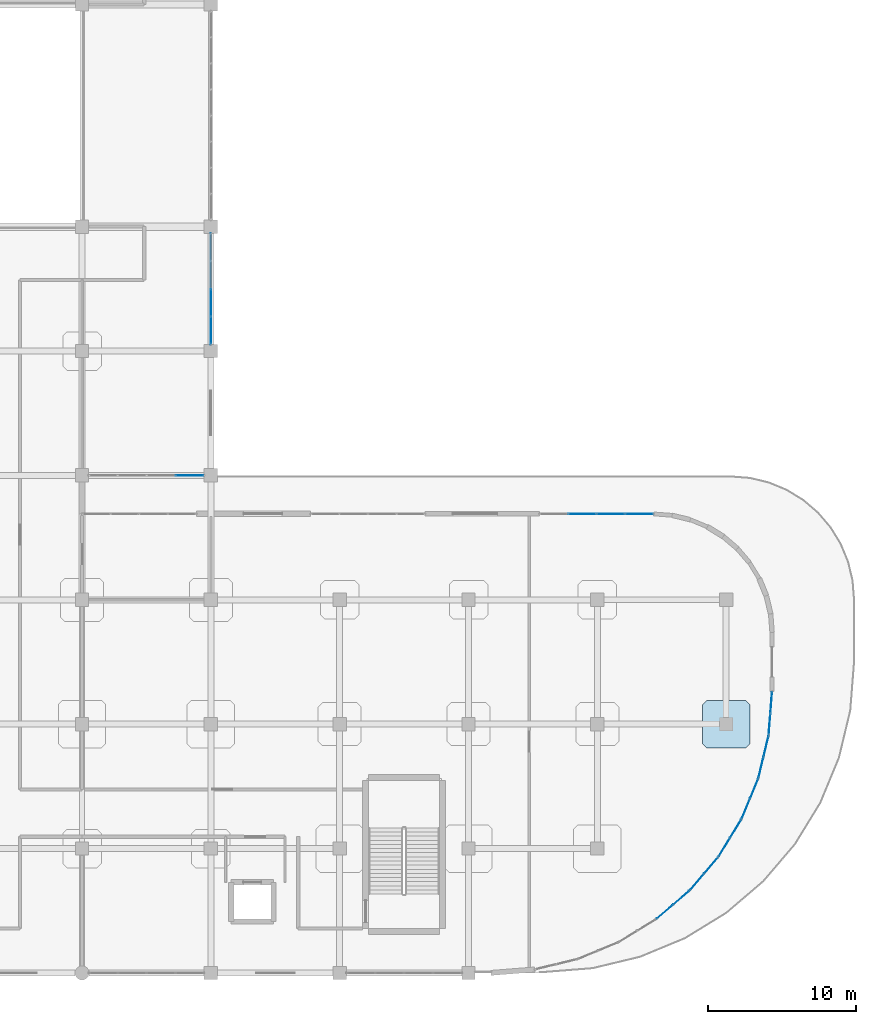
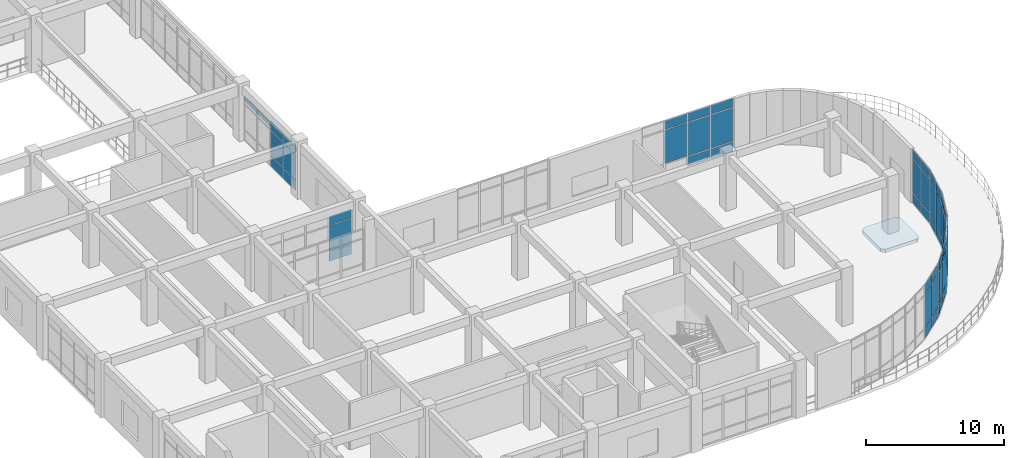
# One storey, part 95 of 120: 54 plates, 1 slab, 9 elements without a shape of their own.
"""IFC4 building model written with IfcOpenShell, lengths in metres."""

from ifc_helpers import new_model, si_unit, derived_unit, direction, frame, origin, origin_2d, place, context, subcontext, project, spatial, polyline, rectangle, outline, extrude, material, layer, layer_set, type_object, element, aggregate, save


model = new_model("IFC4")

# Units and contexts
model_context = context("Model", 3, precision=1e-05, world=origin(), true_north=direction((0.0, 1.0)))
body_context = subcontext(model_context, "Body", "Model", "MODEL_VIEW")
ifc_project = project(units=[si_unit("LENGTHUNIT", "METRE"), si_unit("AREAUNIT", "SQUARE_METRE"), si_unit("VOLUMEUNIT", "CUBIC_METRE"), si_unit("PLANEANGLEUNIT", "RADIAN"), si_unit("MASSUNIT", "GRAM", prefix="KILO"), derived_unit("THERMALTRANSMITTANCEUNIT", [(si_unit("MASSUNIT", "GRAM", prefix="KILO"), 1), (si_unit("TIMEUNIT", "SECOND"), -3), (si_unit("THERMODYNAMICTEMPERATUREUNIT", "KELVIN"), -1)])], contexts=[model_context])

# Site, building, storey
site_placement = place(None, origin())
site = spatial("IfcSite", under=ifc_project, at=site_placement, CompositionType="ELEMENT")
building_placement = place(site_placement, origin())
building = spatial("IfcBuilding", under=site, at=building_placement, Name="Qinzheling Arcade Emporium", CompositionType="ELEMENT")
storey_placement = place(building_placement, frame((0.0, 0.0, 11.39990234375)))
storey = spatial("IfcBuildingStorey", under=building, at=storey_placement, Name="L03", CompositionType="ELEMENT", Elevation=11.39990234375)

# Slab
ifc_material_1 = material(Name="Concrete C40", Category="concrete")
ifc_layer_1 = layer(ifc_material_1, 0.300048828125, Name="Concrete C40", Category="concrete")
ifc_layer_set_1 = layer_set([ifc_layer_1], Name="Concrete C40")
slab_type = type_object("IfcSlabType", Name="Column Head Drop Panel 3200x3200x300 C40", PredefinedType="USERDEFINED", material=ifc_layer_set_1)
slab_placement = place(storey_placement, frame((0.0, 0.0, -0.594970703125)))
element("IfcSlab", 1, at=slab_placement, inside=storey, type_object=slab_type, Name="Column Drop Panel DP-L03-20-C", ObjectType="DROP_PANEL", PredefinedType="USERDEFINED", context=body_context, shape_type="SweptSolid", body=[
    extrude(outline(polyline([(163.97998046875, 15.199951171875), (166.6201171875, 15.199951171875), (166.89990234375, 15.47998046875), (166.89990234375, 18.1201171875), (166.6201171875, 18.39990234375), (163.97998046875, 18.39990234375), (163.699951171875, 18.1201171875), (163.699951171875, 15.47998046875), (163.97998046875, 15.199951171875)])), origin(), (0.0, 0.0, 1.0), 0.300048828125),
])

# Curtain wall, plates
ifc_material_2 = material(Name="Anodised aluminium and solar-control double glazing", Category="aluminium")
ifc_layer_2 = layer(ifc_material_2, 0.159912109375, Name="Anodised aluminium and solar-control double glazing", Category="aluminium")
ifc_layer_set_2 = layer_set([ifc_layer_2], Name="Anodised aluminium and solar-control double glazing")
curtain_wall_type_1 = type_object("IfcCurtainWallType", Name="Food Hall Loggia Curtain Wall", PredefinedType="NOTDEFINED", material=ifc_layer_set_2)
curtain_wall_1_placement = place(storey_placement, origin())
curtain_wall_1 = element("IfcCurtainWall", 2, at=curtain_wall_1_placement, inside=storey, type_object=curtain_wall_type_1, Name="Curtain Wall CW-L03-207", PredefinedType="NOTDEFINED")
ifc_material_3 = material(Name="Laminated solar-control double glazing", Category="glass")
ifc_layer_3 = layer(ifc_material_3, 0.02197265625, Name="Laminated solar-control double glazing", Category="glass")
ifc_layer_set_3 = layer_set([ifc_layer_3], Name="Laminated solar-control double glazing")
plate_type_1 = type_object("IfcPlateType", Name="Low-E Double Glazed Curtain Panel 22mm", PredefinedType="CURTAIN_PANEL", material=ifc_layer_set_3)
plate_1_placement = place(storey_placement, frame((155.576171875, 31.0, 0.97998046875), z_axis=(0.0, 0.0, 1.0), x_axis=(1.0, 0.0, 0.0)))
plate_1 = element("IfcPlate", 3, at=plate_1_placement, type_object=plate_type_1, Name="CW04 panel 2.2", PredefinedType="CURTAIN_PANEL", context=body_context, shape_type="SweptSolid", body=[
    extrude(rectangle(XDim=1.869384765625, YDim=0.02197265625, at=origin_2d()), origin(), (0.0, 0.0, 1.0), 2.929931640625),
])
plate_2_placement = place(storey_placement, frame((155.576171875, 31.0, 3.97021484375), z_axis=(0.0, 0.0, 1.0), x_axis=(1.0, 0.0, 0.0)))
plate_2 = element("IfcPlate", 4, at=plate_2_placement, type_object=plate_type_1, Name="CW04 panel 2.3", PredefinedType="CURTAIN_PANEL", context=body_context, shape_type="SweptSolid", body=[
    extrude(rectangle(XDim=1.869384765625, YDim=0.02197265625, at=origin_2d()), origin(), (0.0, 0.0, 1.0), 0.760009765625),
])
plate_3_placement = place(storey_placement, frame((157.505859375, 31.0, 0.06005859375), z_axis=(0.0, 0.0, 1.0), x_axis=(1.0, 0.0, 0.0)))
plate_3 = element("IfcPlate", 5, at=plate_3_placement, type_object=plate_type_1, Name="CW04 panel 3.1", PredefinedType="CURTAIN_PANEL", context=body_context, shape_type="SweptSolid", body=[
    extrude(rectangle(XDim=1.869384765625, YDim=0.02197265625, at=origin_2d()), origin(), (0.0, 0.0, 1.0), 0.860107421875),
])
plate_4_placement = place(storey_placement, frame((157.505859375, 31.0, 0.97998046875), z_axis=(0.0, 0.0, 1.0), x_axis=(1.0, 0.0, 0.0)))
plate_4 = element("IfcPlate", 6, at=plate_4_placement, type_object=plate_type_1, Name="CW04 panel 3.2", PredefinedType="CURTAIN_PANEL", context=body_context, shape_type="SweptSolid", body=[
    extrude(rectangle(XDim=1.869384765625, YDim=0.02197265625, at=origin_2d()), origin(), (0.0, 0.0, 1.0), 2.929931640625),
])
plate_5_placement = place(storey_placement, frame((157.505859375, 31.0, 3.97021484375), z_axis=(0.0, 0.0, 1.0), x_axis=(1.0, 0.0, 0.0)))
plate_5 = element("IfcPlate", 7, at=plate_5_placement, type_object=plate_type_1, Name="CW04 panel 3.3", PredefinedType="CURTAIN_PANEL", context=body_context, shape_type="SweptSolid", body=[
    extrude(rectangle(XDim=1.869384765625, YDim=0.02197265625, at=origin_2d()), origin(), (0.0, 0.0, 1.0), 0.760009765625),
])
plate_6_placement = place(storey_placement, frame((159.420166015625, 31.0, 0.06005859375), z_axis=(0.0, 0.0, 1.0), x_axis=(1.0, 0.0, 0.0)))
plate_6 = element("IfcPlate", 8, at=plate_6_placement, type_object=plate_type_1, Name="CW04 panel 4.1", PredefinedType="CURTAIN_PANEL", context=body_context, shape_type="SweptSolid", body=[
    extrude(rectangle(XDim=1.839599609375, YDim=0.02197265625, at=origin_2d()), origin(), (0.0, 0.0, 1.0), 0.860107421875),
])
plate_7_placement = place(storey_placement, frame((159.420166015625, 31.0, 0.97998046875), z_axis=(0.0, 0.0, 1.0), x_axis=(1.0, 0.0, 0.0)))
plate_7 = element("IfcPlate", 9, at=plate_7_placement, type_object=plate_type_1, Name="CW04 panel 4.2", PredefinedType="CURTAIN_PANEL", context=body_context, shape_type="SweptSolid", body=[
    extrude(rectangle(XDim=1.839599609375, YDim=0.02197265625, at=origin_2d()), origin(), (0.0, 0.0, 1.0), 2.929931640625),
])
plate_8_placement = place(storey_placement, frame((159.420166015625, 31.0, 3.97021484375), z_axis=(0.0, 0.0, 1.0), x_axis=(1.0, 0.0, 0.0)))
plate_8 = element("IfcPlate", 10, at=plate_8_placement, type_object=plate_type_1, Name="CW04 panel 4.3", PredefinedType="CURTAIN_PANEL", context=body_context, shape_type="SweptSolid", body=[
    extrude(rectangle(XDim=1.839599609375, YDim=0.02197265625, at=origin_2d()), origin(), (0.0, 0.0, 1.0), 0.760009765625),
])
aggregate(curtain_wall_1, [plate_1, plate_2, plate_3, plate_4, plate_5, plate_6, plate_7, plate_8])

curtain_wall_2_placement = place(storey_placement, origin())
curtain_wall_2 = element("IfcCurtainWall", 11, at=curtain_wall_2_placement, inside=storey, type_object=curtain_wall_type_1, Name="Curtain Wall CW-L03-128", PredefinedType="NOTDEFINED")
ifc_layer_4 = layer(ifc_material_3, 0.02392578125, Name="Laminated solar-control double glazing", Category="glass")
ifc_layer_set_4 = layer_set([ifc_layer_4], Name="Laminated solar-control double glazing")
plate_type_2 = type_object("IfcPlateType", Name="Low-E Double Glazed Curtain Panel 24mm", PredefinedType="CURTAIN_PANEL", material=ifc_layer_set_4)
plate_9_placement = place(storey_placement, frame((168.34033203125, 18.241943359375, 0.06005859375), z_axis=(0.0, 0.0, 1.0), x_axis=(-0.078491941816, -0.996914748145, 0.0)))
plate_9 = element("IfcPlate", 12, at=plate_9_placement, type_object=plate_type_2, Name="CW04 panel 1.1", PredefinedType="CURTAIN_PANEL", context=body_context, shape_type="SweptSolid", body=[
    extrude(rectangle(XDim=1.400634765625, YDim=0.02392578125, at=origin_2d()), origin(), (0.0, 0.0, 1.0), 0.860107421875),
])
plate_10_placement = place(storey_placement, frame((168.34033203125, 18.241943359375, 0.97998046875), z_axis=(0.0, 0.0, 1.0), x_axis=(-0.078491941816, -0.996914748145, 0.0)))
plate_10 = element("IfcPlate", 13, at=plate_10_placement, type_object=plate_type_2, Name="CW04 panel 1.2", PredefinedType="CURTAIN_PANEL", context=body_context, shape_type="SweptSolid", body=[
    extrude(rectangle(XDim=1.400634765625, YDim=0.02392578125, at=origin_2d()), origin(), (0.0, 0.0, 1.0), 2.929931640625),
])
plate_11_placement = place(storey_placement, frame((168.34033203125, 18.241943359375, 3.97021484375), z_axis=(0.0, 0.0, 1.0), x_axis=(-0.078491941816, -0.996914748145, 0.0)))
plate_11 = element("IfcPlate", 14, at=plate_11_placement, type_object=plate_type_2, Name="CW04 panel 1.3", PredefinedType="CURTAIN_PANEL", context=body_context, shape_type="SweptSolid", body=[
    extrude(rectangle(XDim=1.400634765625, YDim=0.02392578125, at=origin_2d()), origin(), (0.0, 0.0, 1.0), 0.760009765625),
])
plate_12_placement = place(storey_placement, frame((168.2255859375, 16.785888671875, 0.06005859375), z_axis=(0.0, 0.0, 1.0), x_axis=(-0.078491941816, -0.996914748145, 0.0)))
plate_12 = element("IfcPlate", 15, at=plate_12_placement, type_object=plate_type_2, Name="CW04 panel 2.1", PredefinedType="CURTAIN_PANEL", context=body_context, shape_type="SweptSolid", body=[
    extrude(rectangle(XDim=1.400634765625, YDim=0.02392578125, at=origin_2d()), origin(), (0.0, 0.0, 1.0), 0.860107421875),
])
plate_13_placement = place(storey_placement, frame((168.2255859375, 16.785888671875, 0.97998046875), z_axis=(0.0, 0.0, 1.0), x_axis=(-0.078491941816, -0.996914748145, 0.0)))
plate_13 = element("IfcPlate", 16, at=plate_13_placement, type_object=plate_type_2, Name="CW04 panel 2.2", PredefinedType="CURTAIN_PANEL", context=body_context, shape_type="SweptSolid", body=[
    extrude(rectangle(XDim=1.400634765625, YDim=0.02392578125, at=origin_2d()), origin(), (0.0, 0.0, 1.0), 2.929931640625),
])
plate_14_placement = place(storey_placement, frame((168.2255859375, 16.785888671875, 3.97021484375), z_axis=(0.0, 0.0, 1.0), x_axis=(-0.078491941816, -0.996914748145, 0.0)))
plate_14 = element("IfcPlate", 17, at=plate_14_placement, type_object=plate_type_2, Name="CW04 panel 2.3", PredefinedType="CURTAIN_PANEL", context=body_context, shape_type="SweptSolid", body=[
    extrude(rectangle(XDim=1.400634765625, YDim=0.02392578125, at=origin_2d()), origin(), (0.0, 0.0, 1.0), 0.760009765625),
])
aggregate(curtain_wall_2, [plate_9, plate_10, plate_11, plate_12, plate_13, plate_14])

ifc_layer_5 = layer(ifc_material_2, 0.159912109375, Name="Anodised aluminium and solar-control double glazing", Category="aluminium")
ifc_layer_set_5 = layer_set([ifc_layer_5], Name="Anodised aluminium and solar-control double glazing")
curtain_wall_type_2 = type_object("IfcCurtainWallType", Name="Curved Ribbon Sales Curtain Wall", PredefinedType="NOTDEFINED", material=ifc_layer_set_5)
curtain_wall_3_placement = place(storey_placement, origin())
curtain_wall_3 = element("IfcCurtainWall", 18, at=curtain_wall_3_placement, inside=storey, type_object=curtain_wall_type_2, Name="Curtain Wall CW-L03-129", PredefinedType="NOTDEFINED")
ifc_layer_6 = layer(ifc_material_3, 0.02490234375, Name="Laminated solar-control double glazing", Category="glass")
ifc_layer_set_6 = layer_set([ifc_layer_6], Name="Laminated solar-control double glazing")
plate_type_3 = type_object("IfcPlateType", Name="Low-E Double Glazed Curtain Panel 25mm", PredefinedType="CURTAIN_PANEL", material=ifc_layer_set_6)
plate_15_placement = place(storey_placement, frame((167.988525390625, 15.28857421875, 0.06005859375), z_axis=(0.0, 0.0, 1.0), x_axis=(-0.233449067193, -0.972369031298, 0.0)))
plate_15 = element("IfcPlate", 19, at=plate_15_placement, type_object=plate_type_3, Name="CW02 panel 1.1", PredefinedType="CURTAIN_PANEL", context=body_context, shape_type="SweptSolid", body=[
    extrude(rectangle(XDim=1.400634765625, YDim=0.02490234375, at=origin_2d()), origin(), (0.0, 0.0, 1.0), 0.860107421875),
])
plate_16_placement = place(storey_placement, frame((167.988525390625, 15.28857421875, 0.97998046875), z_axis=(0.0, 0.0, 1.0), x_axis=(-0.233449067193, -0.972369031298, 0.0)))
plate_16 = element("IfcPlate", 20, at=plate_16_placement, type_object=plate_type_3, Name="CW02 panel 1.2", PredefinedType="CURTAIN_PANEL", context=body_context, shape_type="SweptSolid", body=[
    extrude(rectangle(XDim=1.400634765625, YDim=0.02490234375, at=origin_2d()), origin(), (0.0, 0.0, 1.0), 2.929931640625),
])
plate_17_placement = place(storey_placement, frame((167.988525390625, 15.28857421875, 3.97021484375), z_axis=(0.0, 0.0, 1.0), x_axis=(-0.233449067193, -0.972369031298, 0.0)))
plate_17 = element("IfcPlate", 21, at=plate_17_placement, type_object=plate_type_3, Name="CW02 panel 1.3", PredefinedType="CURTAIN_PANEL", context=body_context, shape_type="SweptSolid", body=[
    extrude(rectangle(XDim=1.400634765625, YDim=0.02490234375, at=origin_2d()), origin(), (0.0, 0.0, 1.0), 0.760009765625),
])
plate_18_placement = place(storey_placement, frame((167.6474609375, 13.868408203125, 0.06005859375), z_axis=(0.0, 0.0, 1.0), x_axis=(-0.233449067193, -0.972369031298, 0.0)))
plate_18 = element("IfcPlate", 22, at=plate_18_placement, type_object=plate_type_3, Name="CW02 panel 2.1", PredefinedType="CURTAIN_PANEL", context=body_context, shape_type="SweptSolid", body=[
    extrude(rectangle(XDim=1.400634765625, YDim=0.02490234375, at=origin_2d()), origin(), (0.0, 0.0, 1.0), 0.860107421875),
])
plate_19_placement = place(storey_placement, frame((167.6474609375, 13.868408203125, 0.97998046875), z_axis=(0.0, 0.0, 1.0), x_axis=(-0.233449067193, -0.972369031298, 0.0)))
plate_19 = element("IfcPlate", 23, at=plate_19_placement, type_object=plate_type_3, Name="CW02 panel 2.2", PredefinedType="CURTAIN_PANEL", context=body_context, shape_type="SweptSolid", body=[
    extrude(rectangle(XDim=1.400634765625, YDim=0.02490234375, at=origin_2d()), origin(), (0.0, 0.0, 1.0), 2.929931640625),
])
plate_20_placement = place(storey_placement, frame((167.6474609375, 13.868408203125, 3.97021484375), z_axis=(0.0, 0.0, 1.0), x_axis=(-0.233449067193, -0.972369031298, 0.0)))
plate_20 = element("IfcPlate", 24, at=plate_20_placement, type_object=plate_type_3, Name="CW02 panel 2.3", PredefinedType="CURTAIN_PANEL", context=body_context, shape_type="SweptSolid", body=[
    extrude(rectangle(XDim=1.400634765625, YDim=0.02490234375, at=origin_2d()), origin(), (0.0, 0.0, 1.0), 0.760009765625),
])
aggregate(curtain_wall_3, [plate_15, plate_16, plate_17, plate_18, plate_19, plate_20])

curtain_wall_4_placement = place(storey_placement, origin())
curtain_wall_4 = element("IfcCurtainWall", 25, at=curtain_wall_4_placement, inside=storey, type_object=curtain_wall_type_2, Name="Curtain Wall CW-L03-130", PredefinedType="NOTDEFINED")
ifc_layer_7 = layer(ifc_material_3, 0.02587890625, Name="Laminated solar-control double glazing", Category="glass")
ifc_layer_set_7 = layer_set([ifc_layer_7], Name="Laminated solar-control double glazing")
plate_type_4 = type_object("IfcPlateType", Name="Low-E Double Glazed Curtain Panel 26mm", PredefinedType="CURTAIN_PANEL", material=ifc_layer_set_7)
plate_21_placement = place(storey_placement, frame((167.178955078125, 12.42626953125, 0.06005859375), z_axis=(0.0, 0.0, 1.0), x_axis=(-0.382638101391, -0.923898307913, 0.0)))
plate_21 = element("IfcPlate", 26, at=plate_21_placement, type_object=plate_type_4, Name="CW02 panel 1.1", PredefinedType="CURTAIN_PANEL", context=body_context, shape_type="SweptSolid", body=[
    extrude(rectangle(XDim=1.40087890625, YDim=0.02587890625, at=origin_2d()), origin(), (0.0, 0.0, 1.0), 0.860107421875),
])
plate_22_placement = place(storey_placement, frame((167.178955078125, 12.42626953125, 0.97998046875), z_axis=(0.0, 0.0, 1.0), x_axis=(-0.382638101391, -0.923898307913, 0.0)))
plate_22 = element("IfcPlate", 27, at=plate_22_placement, type_object=plate_type_4, Name="CW02 panel 1.2", PredefinedType="CURTAIN_PANEL", context=body_context, shape_type="SweptSolid", body=[
    extrude(rectangle(XDim=1.40087890625, YDim=0.02587890625, at=origin_2d()), origin(), (0.0, 0.0, 1.0), 2.929931640625),
])
plate_23_placement = place(storey_placement, frame((167.178955078125, 12.42626953125, 3.97021484375), z_axis=(0.0, 0.0, 1.0), x_axis=(-0.382638101391, -0.923898307913, 0.0)))
plate_23 = element("IfcPlate", 28, at=plate_23_placement, type_object=plate_type_4, Name="CW02 panel 1.3", PredefinedType="CURTAIN_PANEL", context=body_context, shape_type="SweptSolid", body=[
    extrude(rectangle(XDim=1.40087890625, YDim=0.02587890625, at=origin_2d()), origin(), (0.0, 0.0, 1.0), 0.760009765625),
])
plate_24_placement = place(storey_placement, frame((166.619873046875, 11.07666015625, 0.06005859375), z_axis=(0.0, 0.0, 1.0), x_axis=(-0.382638101391, -0.923898307913, 0.0)))
plate_24 = element("IfcPlate", 29, at=plate_24_placement, type_object=plate_type_4, Name="CW02 panel 2.1", PredefinedType="CURTAIN_PANEL", context=body_context, shape_type="SweptSolid", body=[
    extrude(rectangle(XDim=1.40087890625, YDim=0.02587890625, at=origin_2d()), origin(), (0.0, 0.0, 1.0), 0.860107421875),
])
plate_25_placement = place(storey_placement, frame((166.619873046875, 11.07666015625, 0.97998046875), z_axis=(0.0, 0.0, 1.0), x_axis=(-0.382638101391, -0.923898307913, 0.0)))
plate_25 = element("IfcPlate", 30, at=plate_25_placement, type_object=plate_type_4, Name="CW02 panel 2.2", PredefinedType="CURTAIN_PANEL", context=body_context, shape_type="SweptSolid", body=[
    extrude(rectangle(XDim=1.40087890625, YDim=0.02587890625, at=origin_2d()), origin(), (0.0, 0.0, 1.0), 2.929931640625),
])
plate_26_placement = place(storey_placement, frame((166.619873046875, 11.07666015625, 3.97021484375), z_axis=(0.0, 0.0, 1.0), x_axis=(-0.382638101391, -0.923898307913, 0.0)))
plate_26 = element("IfcPlate", 31, at=plate_26_placement, type_object=plate_type_4, Name="CW02 panel 2.3", PredefinedType="CURTAIN_PANEL", context=body_context, shape_type="SweptSolid", body=[
    extrude(rectangle(XDim=1.40087890625, YDim=0.02587890625, at=origin_2d()), origin(), (0.0, 0.0, 1.0), 0.760009765625),
])
aggregate(curtain_wall_4, [plate_21, plate_22, plate_23, plate_24, plate_25, plate_26])

curtain_wall_5_placement = place(storey_placement, origin())
curtain_wall_5 = element("IfcCurtainWall", 32, at=curtain_wall_5_placement, inside=storey, type_object=curtain_wall_type_2, Name="Curtain Wall CW-L03-131", PredefinedType="NOTDEFINED")
ifc_layer_8 = layer(ifc_material_3, 0.027099609375, Name="Laminated solar-control double glazing", Category="glass")
ifc_layer_set_8 = layer_set([ifc_layer_8], Name="Laminated solar-control double glazing")
plate_type_5 = type_object("IfcPlateType", Name="Low-E Double Glazed Curtain Panel 27mm", PredefinedType="CURTAIN_PANEL", material=ifc_layer_set_8)
plate_27_placement = place(storey_placement, frame((165.931640625, 9.725830078125, 0.06005859375), z_axis=(0.0, 0.0, 1.0), x_axis=(-0.522562057926, -0.852601252413, 0.0)))
plate_27 = element("IfcPlate", 33, at=plate_27_placement, type_object=plate_type_5, Name="CW02 panel 1.1", PredefinedType="CURTAIN_PANEL", context=body_context, shape_type="SweptSolid", body=[
    extrude(rectangle(XDim=1.400634765625, YDim=0.027099609375, at=origin_2d()), origin(), (0.0, 0.0, 1.0), 0.860107421875),
])
plate_28_placement = place(storey_placement, frame((165.931640625, 9.725830078125, 0.97998046875), z_axis=(0.0, 0.0, 1.0), x_axis=(-0.522562057926, -0.852601252413, 0.0)))
plate_28 = element("IfcPlate", 34, at=plate_28_placement, type_object=plate_type_5, Name="CW02 panel 1.2", PredefinedType="CURTAIN_PANEL", context=body_context, shape_type="SweptSolid", body=[
    extrude(rectangle(XDim=1.400634765625, YDim=0.027099609375, at=origin_2d()), origin(), (0.0, 0.0, 1.0), 2.929931640625),
])
plate_29_placement = place(storey_placement, frame((165.931640625, 9.725830078125, 3.97021484375), z_axis=(0.0, 0.0, 1.0), x_axis=(-0.522562057926, -0.852601252413, 0.0)))
plate_29 = element("IfcPlate", 35, at=plate_29_placement, type_object=plate_type_5, Name="CW02 panel 1.3", PredefinedType="CURTAIN_PANEL", context=body_context, shape_type="SweptSolid", body=[
    extrude(rectangle(XDim=1.400634765625, YDim=0.027099609375, at=origin_2d()), origin(), (0.0, 0.0, 1.0), 0.760009765625),
])
plate_30_placement = place(storey_placement, frame((165.16845703125, 8.480224609375, 0.06005859375), z_axis=(0.0, 0.0, 1.0), x_axis=(-0.522562057926, -0.852601252413, 0.0)))
plate_30 = element("IfcPlate", 36, at=plate_30_placement, type_object=plate_type_5, Name="CW02 panel 2.1", PredefinedType="CURTAIN_PANEL", context=body_context, shape_type="SweptSolid", body=[
    extrude(rectangle(XDim=1.400634765625, YDim=0.027099609375, at=origin_2d()), origin(), (0.0, 0.0, 1.0), 0.860107421875),
])
plate_31_placement = place(storey_placement, frame((165.16845703125, 8.480224609375, 0.97998046875), z_axis=(0.0, 0.0, 1.0), x_axis=(-0.522562057926, -0.852601252413, 0.0)))
plate_31 = element("IfcPlate", 37, at=plate_31_placement, type_object=plate_type_5, Name="CW02 panel 2.2", PredefinedType="CURTAIN_PANEL", context=body_context, shape_type="SweptSolid", body=[
    extrude(rectangle(XDim=1.400634765625, YDim=0.027099609375, at=origin_2d()), origin(), (0.0, 0.0, 1.0), 2.929931640625),
])
plate_32_placement = place(storey_placement, frame((165.16845703125, 8.480224609375, 3.97021484375), z_axis=(0.0, 0.0, 1.0), x_axis=(-0.522562057926, -0.852601252413, 0.0)))
plate_32 = element("IfcPlate", 38, at=plate_32_placement, type_object=plate_type_5, Name="CW02 panel 2.3", PredefinedType="CURTAIN_PANEL", context=body_context, shape_type="SweptSolid", body=[
    extrude(rectangle(XDim=1.400634765625, YDim=0.027099609375, at=origin_2d()), origin(), (0.0, 0.0, 1.0), 0.760009765625),
])
aggregate(curtain_wall_5, [plate_27, plate_28, plate_29, plate_30, plate_31, plate_32])

curtain_wall_6_placement = place(storey_placement, origin())
curtain_wall_6 = element("IfcCurtainWall", 39, at=curtain_wall_6_placement, inside=storey, type_object=curtain_wall_type_2, Name="Curtain Wall CW-L03-132", PredefinedType="NOTDEFINED")
ifc_layer_9 = layer(ifc_material_3, 0.028076171875, Name="Laminated solar-control double glazing", Category="glass")
ifc_layer_set_9 = layer_set([ifc_layer_9], Name="Laminated solar-control double glazing")
plate_type_6 = type_object("IfcPlateType", Name="Low-E Double Glazed Curtain Panel 28mm", PredefinedType="CURTAIN_PANEL", material=ifc_layer_set_9)
plate_33_placement = place(storey_placement, frame((164.27734375, 7.25390625, 0.06005859375), z_axis=(0.0, 0.0, 1.0), x_axis=(-0.649409078937, -0.760439246879, 0.0)))
plate_33 = element("IfcPlate", 40, at=plate_33_placement, type_object=plate_type_6, Name="CW02 panel 1.1", PredefinedType="CURTAIN_PANEL", context=body_context, shape_type="SweptSolid", body=[
    extrude(rectangle(XDim=1.400634765625, YDim=0.028076171875, at=origin_2d()), origin(), (0.0, 0.0, 1.0), 0.860107421875),
])
plate_34_placement = place(storey_placement, frame((164.27734375, 7.25390625, 0.97998046875), z_axis=(0.0, 0.0, 1.0), x_axis=(-0.649409078937, -0.760439246879, 0.0)))
plate_34 = element("IfcPlate", 41, at=plate_34_placement, type_object=plate_type_6, Name="CW02 panel 1.2", PredefinedType="CURTAIN_PANEL", context=body_context, shape_type="SweptSolid", body=[
    extrude(rectangle(XDim=1.400634765625, YDim=0.028076171875, at=origin_2d()), origin(), (0.0, 0.0, 1.0), 2.929931640625),
])
plate_35_placement = place(storey_placement, frame((164.27734375, 7.25390625, 3.97021484375), z_axis=(0.0, 0.0, 1.0), x_axis=(-0.649409078937, -0.760439246879, 0.0)))
plate_35 = element("IfcPlate", 42, at=plate_35_placement, type_object=plate_type_6, Name="CW02 panel 1.3", PredefinedType="CURTAIN_PANEL", context=body_context, shape_type="SweptSolid", body=[
    extrude(rectangle(XDim=1.400634765625, YDim=0.028076171875, at=origin_2d()), origin(), (0.0, 0.0, 1.0), 0.760009765625),
])
plate_36_placement = place(storey_placement, frame((163.328857421875, 6.14306640625, 0.06005859375), z_axis=(0.0, 0.0, 1.0), x_axis=(-0.649409078937, -0.760439246879, 0.0)))
plate_36 = element("IfcPlate", 43, at=plate_36_placement, type_object=plate_type_6, Name="CW02 panel 2.1", PredefinedType="CURTAIN_PANEL", context=body_context, shape_type="SweptSolid", body=[
    extrude(rectangle(XDim=1.400634765625, YDim=0.028076171875, at=origin_2d()), origin(), (0.0, 0.0, 1.0), 0.860107421875),
])
plate_37_placement = place(storey_placement, frame((163.328857421875, 6.14306640625, 0.97998046875), z_axis=(0.0, 0.0, 1.0), x_axis=(-0.649409078937, -0.760439246879, 0.0)))
plate_37 = element("IfcPlate", 44, at=plate_37_placement, type_object=plate_type_6, Name="CW02 panel 2.2", PredefinedType="CURTAIN_PANEL", context=body_context, shape_type="SweptSolid", body=[
    extrude(rectangle(XDim=1.400634765625, YDim=0.028076171875, at=origin_2d()), origin(), (0.0, 0.0, 1.0), 2.929931640625),
])
plate_38_placement = place(storey_placement, frame((163.328857421875, 6.14306640625, 3.97021484375), z_axis=(0.0, 0.0, 1.0), x_axis=(-0.649409078937, -0.760439246879, 0.0)))
plate_38 = element("IfcPlate", 45, at=plate_38_placement, type_object=plate_type_6, Name="CW02 panel 2.3", PredefinedType="CURTAIN_PANEL", context=body_context, shape_type="SweptSolid", body=[
    extrude(rectangle(XDim=1.400634765625, YDim=0.028076171875, at=origin_2d()), origin(), (0.0, 0.0, 1.0), 0.760009765625),
])
aggregate(curtain_wall_6, [plate_33, plate_34, plate_35, plate_36, plate_37, plate_38])

curtain_wall_7_placement = place(storey_placement, origin())
curtain_wall_7 = element("IfcCurtainWall", 46, at=curtain_wall_7_placement, inside=storey, type_object=curtain_wall_type_2, Name="Curtain Wall CW-L03-133", PredefinedType="NOTDEFINED")
ifc_layer_10 = layer(ifc_material_3, 0.029052734375, Name="Laminated solar-control double glazing", Category="glass")
ifc_layer_set_10 = layer_set([ifc_layer_10], Name="Laminated solar-control double glazing")
plate_type_7 = type_object("IfcPlateType", Name="Low-E Double Glazed Curtain Panel 29mm", PredefinedType="CURTAIN_PANEL", material=ifc_layer_set_10)
plate_39_placement = place(storey_placement, frame((162.2568359375, 5.0712890625, 0.06005859375), z_axis=(0.0, 0.0, 1.0), x_axis=(-0.760439246879, -0.649409078937, 0.0)))
plate_39 = element("IfcPlate", 47, at=plate_39_placement, type_object=plate_type_7, Name="CW02 panel 1.1", PredefinedType="CURTAIN_PANEL", context=body_context, shape_type="SweptSolid", body=[
    extrude(rectangle(XDim=1.400634765625, YDim=0.029052734375, at=origin_2d()), origin(), (0.0, 0.0, 1.0), 0.860107421875),
])
plate_40_placement = place(storey_placement, frame((162.2568359375, 5.0712890625, 0.97998046875), z_axis=(0.0, 0.0, 1.0), x_axis=(-0.760439246879, -0.649409078937, 0.0)))
plate_40 = element("IfcPlate", 48, at=plate_40_placement, type_object=plate_type_7, Name="CW02 panel 1.2", PredefinedType="CURTAIN_PANEL", context=body_context, shape_type="SweptSolid", body=[
    extrude(rectangle(XDim=1.400634765625, YDim=0.029052734375, at=origin_2d()), origin(), (0.0, 0.0, 1.0), 2.929931640625),
])
plate_41_placement = place(storey_placement, frame((162.2568359375, 5.0712890625, 3.97021484375), z_axis=(0.0, 0.0, 1.0), x_axis=(-0.760439246879, -0.649409078937, 0.0)))
plate_41 = element("IfcPlate", 49, at=plate_41_placement, type_object=plate_type_7, Name="CW02 panel 1.3", PredefinedType="CURTAIN_PANEL", context=body_context, shape_type="SweptSolid", body=[
    extrude(rectangle(XDim=1.400634765625, YDim=0.029052734375, at=origin_2d()), origin(), (0.0, 0.0, 1.0), 0.760009765625),
])
plate_42_placement = place(storey_placement, frame((161.146240234375, 4.122802734375, 0.06005859375), z_axis=(0.0, 0.0, 1.0), x_axis=(-0.760439246879, -0.649409078937, 0.0)))
plate_42 = element("IfcPlate", 50, at=plate_42_placement, type_object=plate_type_7, Name="CW02 panel 2.1", PredefinedType="CURTAIN_PANEL", context=body_context, shape_type="SweptSolid", body=[
    extrude(rectangle(XDim=1.400634765625, YDim=0.029052734375, at=origin_2d()), origin(), (0.0, 0.0, 1.0), 0.860107421875),
])
plate_43_placement = place(storey_placement, frame((161.146240234375, 4.122802734375, 0.97998046875), z_axis=(0.0, 0.0, 1.0), x_axis=(-0.760439246879, -0.649409078937, 0.0)))
plate_43 = element("IfcPlate", 51, at=plate_43_placement, type_object=plate_type_7, Name="CW02 panel 2.2", PredefinedType="CURTAIN_PANEL", context=body_context, shape_type="SweptSolid", body=[
    extrude(rectangle(XDim=1.400634765625, YDim=0.029052734375, at=origin_2d()), origin(), (0.0, 0.0, 1.0), 2.929931640625),
])
plate_44_placement = place(storey_placement, frame((161.146240234375, 4.122802734375, 3.97021484375), z_axis=(0.0, 0.0, 1.0), x_axis=(-0.760439246879, -0.649409078937, 0.0)))
plate_44 = element("IfcPlate", 52, at=plate_44_placement, type_object=plate_type_7, Name="CW02 panel 2.3", PredefinedType="CURTAIN_PANEL", context=body_context, shape_type="SweptSolid", body=[
    extrude(rectangle(XDim=1.400634765625, YDim=0.029052734375, at=origin_2d()), origin(), (0.0, 0.0, 1.0), 0.760009765625),
])
aggregate(curtain_wall_7, [plate_39, plate_40, plate_41, plate_42, plate_43, plate_44])

ifc_layer_11 = layer(ifc_material_2, 0.159912109375, Name="Anodised aluminium and solar-control double glazing", Category="aluminium")
ifc_layer_set_11 = layer_set([ifc_layer_11], Name="Anodised aluminium and solar-control double glazing")
curtain_wall_type_3 = type_object("IfcCurtainWallType", Name="Arcade Portal Glazed Curtain Wall", PredefinedType="NOTDEFINED", material=ifc_layer_set_11)
curtain_wall_8_placement = place(storey_placement, origin())
curtain_wall_8 = element("IfcCurtainWall", 53, at=curtain_wall_8_placement, inside=storey, type_object=curtain_wall_type_3, Name="Curtain Wall CW-L03-203", PredefinedType="NOTDEFINED")
ifc_layer_12 = layer(ifc_material_3, 0.0380859375, Name="Laminated solar-control double glazing", Category="glass")
ifc_layer_set_12 = layer_set([ifc_layer_12], Name="Laminated solar-control double glazing")
plate_type_8 = type_object("IfcPlateType", Name="Low-E Double Glazed Curtain Panel 38mm", PredefinedType="CURTAIN_PANEL", material=ifc_layer_set_12)
plate_45_placement = place(storey_placement, frame((130.5, 45.262939453125, 0.06005859375), z_axis=(0.0, 0.0, 1.0), x_axis=(0.0, -1.0, 0.0)))
plate_45 = element("IfcPlate", 54, at=plate_45_placement, type_object=plate_type_8, Name="CW05 panel 3.1", PredefinedType="CURTAIN_PANEL", context=body_context, shape_type="SweptSolid", body=[
    extrude(rectangle(XDim=1.81396484375, YDim=0.0380859375, at=origin_2d()), origin(), (0.0, 0.0, 1.0), 0.860107421875),
])
plate_46_placement = place(storey_placement, frame((130.5, 45.262939453125, 0.97998046875), z_axis=(0.0, 0.0, 1.0), x_axis=(0.0, -1.0, 0.0)))
plate_46 = element("IfcPlate", 55, at=plate_46_placement, type_object=plate_type_8, Name="CW05 panel 3.2", PredefinedType="CURTAIN_PANEL", context=body_context, shape_type="SweptSolid", body=[
    extrude(rectangle(XDim=1.81396484375, YDim=0.0380859375, at=origin_2d()), origin(), (0.0, 0.0, 1.0), 2.195068359375),
])
plate_47_placement = place(storey_placement, frame((130.5, 45.262939453125, 3.23486328125), z_axis=(0.0, 0.0, 1.0), x_axis=(0.0, -1.0, 0.0)))
plate_47 = element("IfcPlate", 56, at=plate_47_placement, type_object=plate_type_8, Name="CW05 panel 3.3", PredefinedType="CURTAIN_PANEL", context=body_context, shape_type="SweptSolid", body=[
    extrude(rectangle(XDim=1.81396484375, YDim=0.0380859375, at=origin_2d()), origin(), (0.0, 0.0, 1.0), 0.760009765625),
])
plate_48_placement = place(storey_placement, frame((130.5, 43.404052734375, 0.06005859375), z_axis=(0.0, 0.0, 1.0), x_axis=(0.0, -1.0, 0.0)))
plate_48 = element("IfcPlate", 57, at=plate_48_placement, type_object=plate_type_8, Name="CW05 panel 4.1", PredefinedType="CURTAIN_PANEL", context=body_context, shape_type="SweptSolid", body=[
    extrude(rectangle(XDim=1.783935546875, YDim=0.0380859375, at=origin_2d()), origin(), (0.0, 0.0, 1.0), 0.860107421875),
])
plate_49_placement = place(storey_placement, frame((130.5, 43.404052734375, 0.97998046875), z_axis=(0.0, 0.0, 1.0), x_axis=(0.0, -1.0, 0.0)))
plate_49 = element("IfcPlate", 58, at=plate_49_placement, type_object=plate_type_8, Name="CW05 panel 4.2", PredefinedType="CURTAIN_PANEL", context=body_context, shape_type="SweptSolid", body=[
    extrude(rectangle(XDim=1.783935546875, YDim=0.0380859375, at=origin_2d()), origin(), (0.0, 0.0, 1.0), 2.195068359375),
])
plate_50_placement = place(storey_placement, frame((130.5, 43.404052734375, 3.23486328125), z_axis=(0.0, 0.0, 1.0), x_axis=(0.0, -1.0, 0.0)))
plate_50 = element("IfcPlate", 59, at=plate_50_placement, type_object=plate_type_8, Name="CW05 panel 4.3", PredefinedType="CURTAIN_PANEL", context=body_context, shape_type="SweptSolid", body=[
    extrude(rectangle(XDim=1.783935546875, YDim=0.0380859375, at=origin_2d()), origin(), (0.0, 0.0, 1.0), 0.760009765625),
])
aggregate(curtain_wall_8, [plate_45, plate_46, plate_47, plate_48, plate_49, plate_50])

curtain_wall_9_placement = place(storey_placement, origin())
curtain_wall_9 = element("IfcCurtainWall", 60, at=curtain_wall_9_placement, inside=storey, type_object=curtain_wall_type_1, Name="Curtain Wall CW-L03-204", PredefinedType="NOTDEFINED")
ifc_layer_13 = layer(ifc_material_3, 0.0400390625, Name="Laminated solar-control double glazing", Category="glass")
ifc_layer_set_13 = layer_set([ifc_layer_13], Name="Laminated solar-control double glazing")
plate_type_9 = type_object("IfcPlateType", Name="Low-E Double Glazed Curtain Panel 40mm", PredefinedType="CURTAIN_PANEL", material=ifc_layer_set_13)
plate_51_placement = place(storey_placement, frame((129.05859375, 33.60009765625, 0.06005859375), z_axis=(0.0, 0.0, 1.0), x_axis=(-1.0, 0.0, 0.0)))
plate_51 = element("IfcPlate", 61, at=plate_51_placement, type_object=plate_type_9, Name="CW04 panel 1.1", PredefinedType="CURTAIN_PANEL", context=body_context, shape_type="SweptSolid", body=[
    extrude(rectangle(XDim=1.85888671875, YDim=0.0400390625, at=origin_2d()), origin(), (0.0, 0.0, 1.0), 0.860107421875),
])
plate_52_placement = place(storey_placement, frame((129.05859375, 33.60009765625, 0.97998046875), z_axis=(0.0, 0.0, 1.0), x_axis=(-1.0, 0.0, 0.0)))
plate_52 = element("IfcPlate", 62, at=plate_52_placement, type_object=plate_type_9, Name="CW04 panel 1.2", PredefinedType="CURTAIN_PANEL", context=body_context, shape_type="SweptSolid", body=[
    extrude(rectangle(XDim=1.85888671875, YDim=0.0400390625, at=origin_2d()), origin(), (0.0, 0.0, 1.0), 2.195068359375),
])
plate_53_placement = place(storey_placement, frame((129.05859375, 33.60009765625, 3.23486328125), z_axis=(0.0, 0.0, 1.0), x_axis=(-1.0, 0.0, 0.0)))
plate_53 = element("IfcPlate", 63, at=plate_53_placement, type_object=plate_type_9, Name="CW04 panel 1.3", PredefinedType="CURTAIN_PANEL", context=body_context, shape_type="SweptSolid", body=[
    extrude(rectangle(XDim=1.85888671875, YDim=0.0400390625, at=origin_2d()), origin(), (0.0, 0.0, 1.0), 0.760009765625),
])
aggregate(curtain_wall_9, [plate_51, plate_52, plate_53])

# Plate
ifc_material_4 = material(Name="Perforated anodised aluminium sheet", Category="aluminium")
ifc_layer_14 = layer(ifc_material_4, 0.011962890625, Name="Perforated anodised aluminium sheet", Category="aluminium")
ifc_layer_set_14 = layer_set([ifc_layer_14], Name="Perforated anodised aluminium sheet")
plate_type_10 = type_object("IfcPlateType", Name="Typhoon Storm Louvre Blade 12mm", PredefinedType="SHEET", material=ifc_layer_set_14)
plate_54_placement = place(storey_placement, frame((130.5, 46.199951171875, 3.47998046875), z_axis=(0.0, 0.0, 1.0), x_axis=(0.0, -1.0, 0.0)))
element("IfcPlate", 64, at=plate_54_placement, inside=storey, type_object=plate_type_10, Name="Storm Louvre PLT-SLV-L03-040", PredefinedType="SHEET", context=body_context, shape_type="SweptSolid", body=[
    extrude(rectangle(XDim=7.52587890625, YDim=0.011962890625, at=origin_2d()), origin(), (0.0, 0.0, 1.0), 0.449951171875),
])

save(model, "model.ifc")
